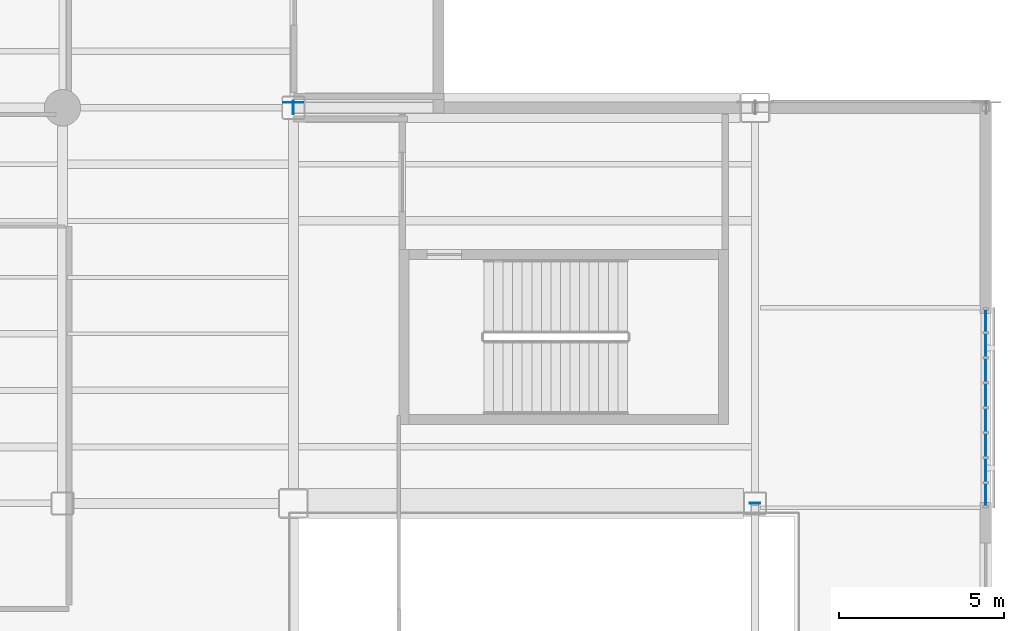
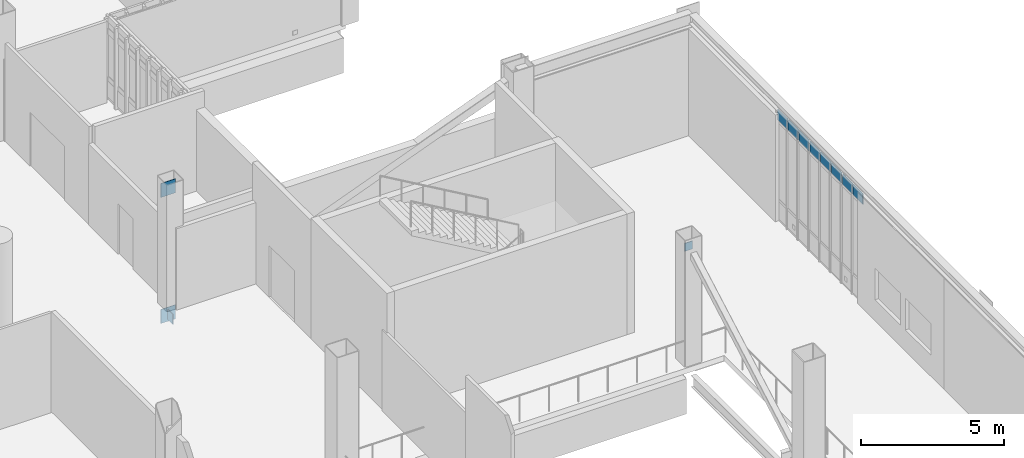
# One storey, part 94 of 127: 12 plates, 1 element without a shape of its own.
"""IFC4 building model written with IfcOpenShell, lengths in metres."""

from ifc_helpers import new_model, si_unit, direction, frame, origin, origin_2d, place, context, subcontext, project, spatial, rectangle, extrude, material, layer, layer_set, type_object, element, aggregate, save


model = new_model("IFC4")

# Units and contexts
model_context = context("Model", 3, precision=1e-05, world=origin(), true_north=direction((0.0, 1.0)))
body_context = subcontext(model_context, "Body", "Model", "MODEL_VIEW")
ifc_project = project(units=[si_unit("LENGTHUNIT", "METRE"), si_unit("AREAUNIT", "SQUARE_METRE"), si_unit("VOLUMEUNIT", "CUBIC_METRE"), si_unit("PLANEANGLEUNIT", "RADIAN"), si_unit("MASSUNIT", "GRAM", prefix="KILO")], contexts=[model_context])

# Site, building, storey
site_placement = place(None, origin())
site = spatial("IfcSite", under=ifc_project, at=site_placement, CompositionType="ELEMENT")
building_placement = place(site_placement, origin())
building = spatial("IfcBuilding", under=site, at=building_placement, Name="Larkvane Passage Sports Hall", CompositionType="ELEMENT")
storey_placement = place(building_placement, frame((0.0, 0.0, 5.39990234375)))
storey = spatial("IfcBuildingStorey", under=building, at=storey_placement, Name="L01", CompositionType="ELEMENT", Elevation=5.39990234375)

# Curtain wall, plates
ifc_material_1 = material(Name="Thermally broken aluminium and low-E glazing", Category="aluminium")
curtain_wall_type = type_object("IfcCurtainWallType", Name="CW-UNIT-COURT", PredefinedType="USERDEFINED", material=ifc_material_1)
curtain_wall_placement = place(storey_placement, origin())
curtain_wall = element("IfcCurtainWall", 1, at=curtain_wall_placement, inside=storey, type_object=curtain_wall_type, Name="Curtain wall CW5-L01-060", ObjectType="UNITISED CURTAIN WALL", PredefinedType="USERDEFINED")
ifc_material_2 = material(Name="Solar-control low-E double glazing", Category="glass")
ifc_layer_1 = layer(ifc_material_2, 0.028076171875)
ifc_layer_set_1 = layer_set([ifc_layer_1], Name="Solar-control low-E double glazing")
plate_type_1 = type_object("IfcPlateType", Name="CWP-VIS-28", PredefinedType="CURTAIN_PANEL", material=ifc_layer_set_1)
plate_1_placement = place(storey_placement, frame((152.60009765625, 45.13916015625, 4.22802734375), z_axis=(0.0, 0.0, 1.0), x_axis=(0.0, -1.0, 0.0)))
plate_1 = element("IfcPlate", 2, at=plate_1_placement, type_object=plate_type_1, Name="CW-01 panel 1.3", PredefinedType="CURTAIN_PANEL", context=body_context, shape_type="SweptSolid", body=[
    extrude(rectangle(XDim=0.668212890625, YDim=0.028076171875, at=origin_2d()), origin(), (0.0, 0.0, 1.0), 0.4599609375),
])
plate_2_placement = place(storey_placement, frame((152.60009765625, 44.395751953125, 4.22802734375), z_axis=(0.0, 0.0, 1.0), x_axis=(0.0, -1.0, 0.0)))
plate_2 = element("IfcPlate", 3, at=plate_2_placement, type_object=plate_type_1, Name="CW-01 panel 2.3", PredefinedType="CURTAIN_PANEL", context=body_context, shape_type="SweptSolid", body=[
    extrude(rectangle(XDim=0.6982421875, YDim=0.028076171875, at=origin_2d()), origin(), (0.0, 0.0, 1.0), 0.4599609375),
])
plate_3_placement = place(storey_placement, frame((152.60009765625, 43.637451171875, 4.22802734375), z_axis=(0.0, 0.0, 1.0), x_axis=(0.0, -1.0, 0.0)))
plate_3 = element("IfcPlate", 4, at=plate_3_placement, type_object=plate_type_1, Name="CW-01 panel 3.3", PredefinedType="CURTAIN_PANEL", context=body_context, shape_type="SweptSolid", body=[
    extrude(rectangle(XDim=0.6982421875, YDim=0.028076171875, at=origin_2d()), origin(), (0.0, 0.0, 1.0), 0.4599609375),
])
plate_4_placement = place(storey_placement, frame((152.60009765625, 42.879150390625, 4.22802734375), z_axis=(0.0, 0.0, 1.0), x_axis=(0.0, -1.0, 0.0)))
plate_4 = element("IfcPlate", 5, at=plate_4_placement, type_object=plate_type_1, Name="CW-01 panel 4.3", PredefinedType="CURTAIN_PANEL", context=body_context, shape_type="SweptSolid", body=[
    extrude(rectangle(XDim=0.6982421875, YDim=0.028076171875, at=origin_2d()), origin(), (0.0, 0.0, 1.0), 0.4599609375),
])
plate_5_placement = place(storey_placement, frame((152.60009765625, 42.120849609375, 4.22802734375), z_axis=(0.0, 0.0, 1.0), x_axis=(0.0, -1.0, 0.0)))
plate_5 = element("IfcPlate", 6, at=plate_5_placement, type_object=plate_type_1, Name="CW-01 panel 5.3", PredefinedType="CURTAIN_PANEL", context=body_context, shape_type="SweptSolid", body=[
    extrude(rectangle(XDim=0.6982421875, YDim=0.028076171875, at=origin_2d()), origin(), (0.0, 0.0, 1.0), 0.4599609375),
])
plate_6_placement = place(storey_placement, frame((152.60009765625, 41.362548828125, 4.22802734375), z_axis=(0.0, 0.0, 1.0), x_axis=(0.0, -1.0, 0.0)))
plate_6 = element("IfcPlate", 7, at=plate_6_placement, type_object=plate_type_1, Name="CW-01 panel 6.3", PredefinedType="CURTAIN_PANEL", context=body_context, shape_type="SweptSolid", body=[
    extrude(rectangle(XDim=0.6982421875, YDim=0.028076171875, at=origin_2d()), origin(), (0.0, 0.0, 1.0), 0.4599609375),
])
plate_7_placement = place(storey_placement, frame((152.60009765625, 40.604248046875, 4.22802734375), z_axis=(0.0, 0.0, 1.0), x_axis=(0.0, -1.0, 0.0)))
plate_7 = element("IfcPlate", 8, at=plate_7_placement, type_object=plate_type_1, Name="CW-01 panel 7.3", PredefinedType="CURTAIN_PANEL", context=body_context, shape_type="SweptSolid", body=[
    extrude(rectangle(XDim=0.6982421875, YDim=0.028076171875, at=origin_2d()), origin(), (0.0, 0.0, 1.0), 0.4599609375),
])
plate_8_placement = place(storey_placement, frame((152.60009765625, 39.86083984375, 4.22802734375), z_axis=(0.0, 0.0, 1.0), x_axis=(0.0, -1.0, 0.0)))
plate_8 = element("IfcPlate", 9, at=plate_8_placement, type_object=plate_type_1, Name="CW-01 panel 8.3", PredefinedType="CURTAIN_PANEL", context=body_context, shape_type="SweptSolid", body=[
    extrude(rectangle(XDim=0.668212890625, YDim=0.028076171875, at=origin_2d()), origin(), (0.0, 0.0, 1.0), 0.4599609375),
])
aggregate(curtain_wall, [plate_1, plate_2, plate_3, plate_4, plate_5, plate_6, plate_7, plate_8])

# Plates
ifc_material_3 = material(Name="Steel S355JR", Category="steel")
ifc_layer_2 = layer(ifc_material_3, 0.011962890625)
ifc_layer_set_2 = layer_set([ifc_layer_2], Name="Steel S355JR")
plate_type_2 = type_object("IfcPlateType", Name="PLT-CAP-12", PredefinedType="SHEET", material=ifc_layer_set_2)
plate_9_placement = place(storey_placement, frame((145.60009765625, 39.605224609375, 4.68017578125), z_axis=(0.0, 0.0, 1.0), x_axis=(-1.0, 0.0, 0.0)))
element("IfcPlate", 10, at=plate_9_placement, inside=storey, type_object=plate_type_2, Name="Hollow section sealed end cap plate 0583", PredefinedType="SHEET", context=body_context, shape_type="SweptSolid", body=[
    extrude(rectangle(XDim=0.31005859375, YDim=0.028076171875, at=origin_2d()), origin(), (0.0, 0.0, 1.0), 0.345947265625),
])
ifc_material_4 = material(Name="Steel S460N", Category="steel")
ifc_layer_3 = layer(ifc_material_4, 0.02001953125)
ifc_layer_set_3 = layer_set([ifc_layer_3], Name="Steel S460N")
plate_type_3 = type_object("IfcPlateType", Name="PLT-CAP-20", PredefinedType="SHEET", material=ifc_layer_set_3)
plate_10_placement = place(storey_placement, frame((131.5908203125, 51.60009765625, -0.7451171875), z_axis=(0.0, 0.0, 1.0), x_axis=(0.0, 1.0, 0.0)))
element("IfcPlate", 11, at=plate_10_placement, inside=storey, type_object=plate_type_3, Name="Hollow section sealed end cap plate 0163", PredefinedType="SHEET", context=body_context, shape_type="SweptSolid", body=[
    extrude(rectangle(XDim=0.409912109375, YDim=0.028076171875, at=origin_2d()), origin(), (0.0, 0.0, 1.0), 0.43505859375),
])
ifc_layer_4 = layer(ifc_material_4, 0.01611328125)
ifc_layer_set_4 = layer_set([ifc_layer_4], Name="Steel S460N")
plate_type_4 = type_object("IfcPlateType", Name="PLT-GUS-16", PredefinedType="USERDEFINED", material=ifc_layer_set_4)
for number, where, z_axis, x_axis, name in (
    (12, (131.60009765625, 51.758056640625, -0.823974609375), (0.0, 0.0, 1.0), (1.0, 0.0, 0.0), "Truss node gusset plate ND-1B (CT-E1A-2)"),
    (13, (131.60009765625, 51.758056640625, 4.55615234375), (0.0, 0.0, 1.0), (1.0, 0.0, 0.0), "Truss node gusset plate ND-1T (CT-E1A-2)"),
):
    element("IfcPlate", number, at=place(storey_placement, frame(where, z_axis=z_axis, x_axis=x_axis)), inside=storey, type_object=plate_type_4, Name=name, ObjectType="GUSSET PLATE", PredefinedType="USERDEFINED", context=body_context, shape_type="SweptSolid", body=[
        extrude(rectangle(XDim=0.60009765625, YDim=0.01611328125, at=origin_2d()), origin(), (0.0, 0.0, 1.0), 0.60009765625),
    ])

save(model, "model.ifc")
